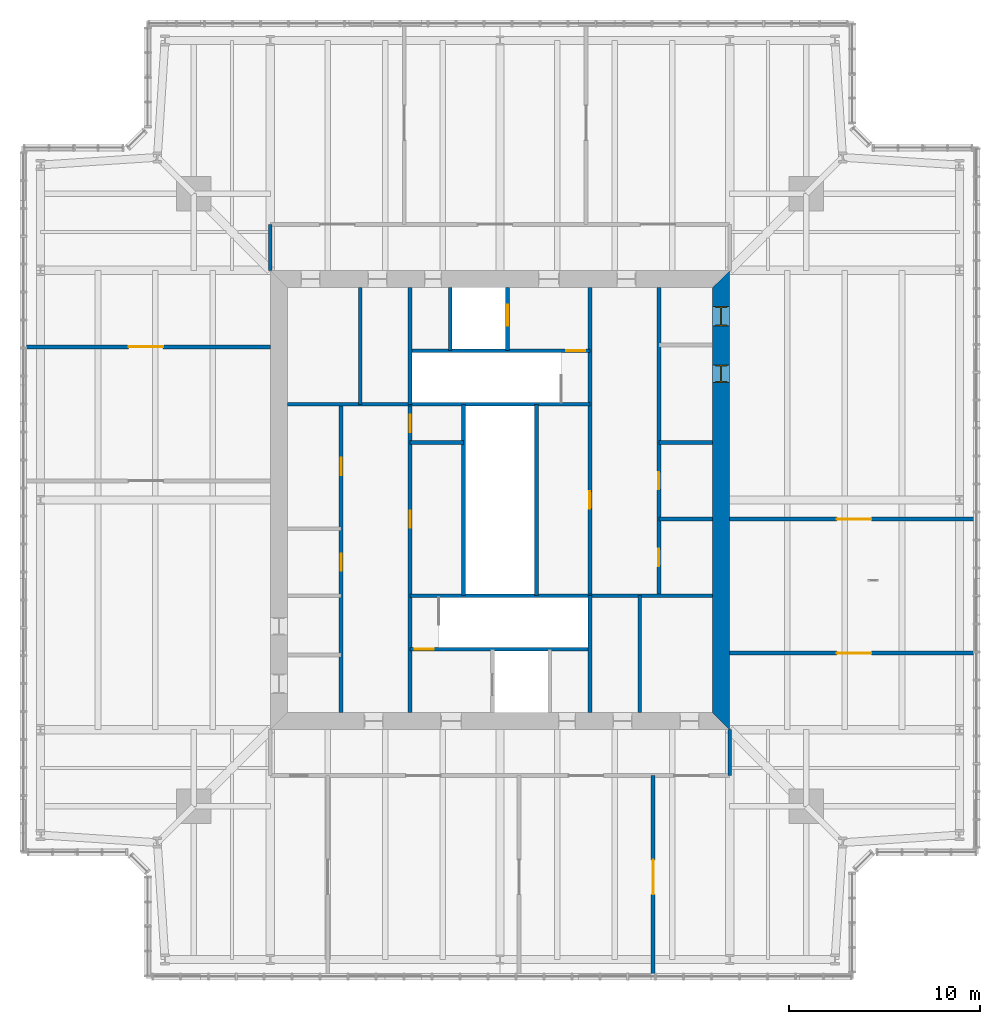
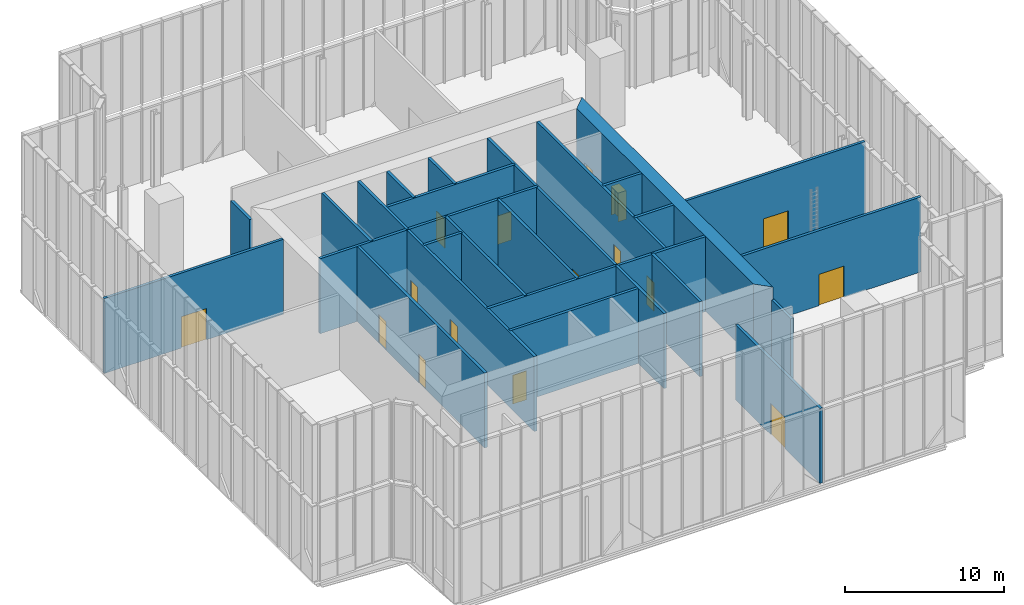
# One storey, part 18 of 25: 26 walls, 16 doors, 16 openings.
"""IFC4 building model written with IfcOpenShell, lengths in metres."""

from ifc_helpers import new_model, si_unit, direction, frame, frame_2d, origin, place, context, subcontext, project, spatial, polyline, rectangle, outline, extrude, material, layer, layer_set, type_object, element, fill, save


model = new_model("IFC4")

# Units and contexts
model_context = context("Model", 3, precision=1e-05, world=origin(), true_north=direction((0.0, 1.0)))
body_context = subcontext(model_context, "Body", "Model", "MODEL_VIEW")
ifc_project = project(units=[si_unit("LENGTHUNIT", "METRE"), si_unit("AREAUNIT", "SQUARE_METRE"), si_unit("VOLUMEUNIT", "CUBIC_METRE"), si_unit("PLANEANGLEUNIT", "RADIAN"), si_unit("MASSUNIT", "GRAM", prefix="KILO")], contexts=[model_context])

# Site, building, storey
site_placement = place(None, origin())
site = spatial("IfcSite", under=ifc_project, at=site_placement, CompositionType="ELEMENT")
building_placement = place(site_placement, origin())
building = spatial("IfcBuilding", under=site, at=building_placement, Name="Fenwick Lantern Interchange", CompositionType="ELEMENT")
storey_placement = place(building_placement, frame((0.0, 0.0, 307.800048828125)))
storey = spatial("IfcBuildingStorey", under=building, at=storey_placement, Name="L74", CompositionType="ELEMENT", Elevation=307.800048828125)

# Wall, openings, doors
ifc_material_1 = material(Name="Concrete masonry ASTM C90 Grade N", Category="masonry")
ifc_layer_1 = layer(ifc_material_1, 0.199951171875)
ifc_layer_set_1 = layer_set([ifc_layer_1], Name="Concrete masonry ASTM C90 Grade N")
wall_type_1 = type_object("IfcWallType", Name="CORE PARTITION 200", PredefinedType="PARTITIONING", material=ifc_layer_set_1)
wall_1_placement = place(storey_placement, frame((16.699951171875, 13.89990234375, 0.0), z_axis=(0.0, 0.0, 1.0), x_axis=(0.0, 1.0, 0.0)))
wall_1 = element("IfcWall", 1, at=wall_1_placement, inside=storey, type_object=wall_type_1, Name="L74/W/CORES/a", PredefinedType="PARTITIONING", context=body_context, shape_type="SweptSolid", body=[
    extrude(rectangle(XDim=16.10009765625, YDim=0.199951171875, at=frame_2d((8.050048828125, 0.0))), origin(), (0.0, 0.0, 1.0), 5.75),
])
opening_1_placement = place(wall_1_placement, frame((7.39990234375, 0.0, 0.0)))
opening_1 = element("IfcOpeningElement", 2, at=opening_1_placement, cuts=wall_1, Name="Opening L74-D009", PredefinedType="OPENING", context=body_context, shape_type="SweptSolid", body=[
    extrude(rectangle(XDim=0.89990234375, YDim=2.199951171875, at=frame_2d((0.449951171875, 1.10009765625))), frame((0.0, 0.10986328125, 0.0), z_axis=(0.0, -1.0, 0.0), x_axis=(1.0, 0.0, 0.0)), (0.0, 0.0, 1.0), 0.219970703125),
])
opening_2_placement = place(wall_1_placement, frame((12.39990234375, 0.0, 0.0)))
opening_2 = element("IfcOpeningElement", 3, at=opening_2_placement, cuts=wall_1, Name="Opening L74-D010", PredefinedType="OPENING", context=body_context, shape_type="SweptSolid", body=[
    extrude(rectangle(XDim=0.89990234375, YDim=2.199951171875, at=frame_2d((0.449951171875, 1.10009765625))), frame((0.0, 0.10986328125, 0.0), z_axis=(0.0, -1.0, 0.0), x_axis=(1.0, 0.0, 0.0)), (0.0, 0.0, 1.0), 0.219970703125),
])
ifc_material_2 = material(Name="Steel door and frame", Category="steel")
door_type_1 = type_object("IfcDoorType", Name="SERVICE DOOR 900 X 2200", OperationType="SINGLE_SWING_LEFT", PredefinedType="DOOR", material=ifc_material_2)
door_1_placement = place(opening_1_placement, origin())
door_1 = element("IfcDoor", 4, at=door_1_placement, inside=storey, type_object=door_type_1, Name="Service door", OperationType="SINGLE_SWING_LEFT", OverallHeight=2.199951171875, OverallWidth=0.89990234375, PredefinedType="DOOR", context=body_context, shape_type="SweptSolid", body=[
    extrude(rectangle(XDim=0.89990234375, YDim=2.199951171875, at=frame_2d((0.449951171875, 1.10009765625))), frame((0.0, 0.02490234375, 0.0), z_axis=(0.0, -1.0, 0.0), x_axis=(1.0, 0.0, 0.0)), (0.0, 0.0, 1.0), 0.050048828125),
])
fill(opening_1, door_1)
door_2_placement = place(opening_2_placement, origin())
door_2 = element("IfcDoor", 5, at=door_2_placement, inside=storey, type_object=door_type_1, Name="Service door", OperationType="SINGLE_SWING_LEFT", OverallHeight=2.199951171875, OverallWidth=0.89990234375, PredefinedType="DOOR", context=body_context, shape_type="SweptSolid", body=[
    extrude(rectangle(XDim=0.89990234375, YDim=2.199951171875, at=frame_2d((0.449951171875, 1.10009765625))), frame((0.0, 0.02490234375, 0.0), z_axis=(0.0, -1.0, 0.0), x_axis=(1.0, 0.0, 0.0)), (0.0, 0.0, 1.0), 0.050048828125),
])
fill(opening_2, door_2)

# Walls
wall_2_placement = place(storey_placement, frame((23.10009765625, 20.0, 0.0), z_axis=(0.0, 0.0, 1.0), x_axis=(0.0, 1.0, 0.0)))
element("IfcWall", 6, at=wall_2_placement, inside=storey, type_object=wall_type_1, Name="L74/W/CORES/e3", PredefinedType="PARTITIONING", context=body_context, shape_type="SweptSolid", body=[
    extrude(rectangle(XDim=10.0, YDim=0.199951171875, at=frame_2d((5.0, 0.0))), origin(), (0.0, 0.0, 1.0), 5.75),
])
wall_3_placement = place(storey_placement, frame((32.300048828125, 13.89990234375, 0.0), z_axis=(0.0, 0.0, 1.0), x_axis=(0.0, 1.0, 0.0)))
element("IfcWall", 7, at=wall_3_placement, inside=storey, type_object=wall_type_1, Name="L74/W/CORES/i2", PredefinedType="PARTITIONING", context=body_context, shape_type="SweptSolid", body=[
    extrude(rectangle(XDim=6.10009765625, YDim=0.199951171875, at=frame_2d((3.050048828125, 0.0))), origin(), (0.0, 0.0, 1.0), 5.75),
])
wall_4_placement = place(storey_placement, frame((20.300048828125, 28.0, 0.0), z_axis=(0.0, 0.0, 1.0), x_axis=(1.0, 0.0, 0.0)))
element("IfcWall", 8, at=wall_4_placement, inside=storey, type_object=wall_type_1, Name="L74/W/CORES/q1", PredefinedType="PARTITIONING", context=body_context, shape_type="SweptSolid", body=[
    extrude(rectangle(XDim=2.800048828125, YDim=0.199951171875, at=frame_2d((1.39990234375, 0.0))), origin(), (0.0, 0.0, 1.0), 5.75),
])

# Wall, openings, doors
wall_5_placement = place(storey_placement, frame((33.300048828125, 36.10009765625, 0.0), z_axis=(0.0, 0.0, 1.0), x_axis=(0.0, -1.0, 0.0)))
wall_5 = element("IfcWall", 9, at=wall_5_placement, inside=storey, type_object=wall_type_1, Name="L74/W/COREN/a", PredefinedType="PARTITIONING", context=body_context, shape_type="SweptSolid", body=[
    extrude(rectangle(XDim=16.10009765625, YDim=0.199951171875, at=frame_2d((8.050048828125, 0.0))), origin(), (0.0, 0.0, 1.0), 5.75),
])
opening_3_placement = place(wall_5_placement, frame((9.64990234375, 0.0, 0.0)))
opening_3 = element("IfcOpeningElement", 10, at=opening_3_placement, cuts=wall_5, Name="Opening L74-D021", PredefinedType="OPENING", context=body_context, shape_type="SweptSolid", body=[
    extrude(rectangle(XDim=0.89990234375, YDim=2.199951171875, at=frame_2d((0.449951171875, 1.10009765625))), frame((0.0, 0.10986328125, 0.0), z_axis=(0.0, -1.0, 0.0), x_axis=(1.0, 0.0, 0.0)), (0.0, 0.0, 1.0), 0.219970703125),
])
opening_4_placement = place(wall_5_placement, frame((13.64990234375, 0.0, 0.0)))
opening_4 = element("IfcOpeningElement", 11, at=opening_4_placement, cuts=wall_5, Name="Opening L74-D022", PredefinedType="OPENING", context=body_context, shape_type="SweptSolid", body=[
    extrude(rectangle(XDim=0.89990234375, YDim=2.199951171875, at=frame_2d((0.449951171875, 1.10009765625))), frame((0.0, 0.10986328125, 0.0), z_axis=(0.0, -1.0, 0.0), x_axis=(1.0, 0.0, 0.0)), (0.0, 0.0, 1.0), 0.219970703125),
])
door_3_placement = place(opening_3_placement, origin())
door_3 = element("IfcDoor", 12, at=door_3_placement, inside=storey, type_object=door_type_1, Name="Service door", OperationType="SINGLE_SWING_LEFT", OverallHeight=2.199951171875, OverallWidth=0.89990234375, PredefinedType="DOOR", context=body_context, shape_type="SweptSolid", body=[
    extrude(rectangle(XDim=0.89990234375, YDim=2.199951171875, at=frame_2d((0.449951171875, 1.10009765625))), frame((0.0, 0.02490234375, 0.0), z_axis=(0.0, -1.0, 0.0), x_axis=(1.0, 0.0, 0.0)), (0.0, 0.0, 1.0), 0.050048828125),
])
fill(opening_3, door_3)
door_4_placement = place(opening_4_placement, origin())
door_4 = element("IfcDoor", 13, at=door_4_placement, inside=storey, type_object=door_type_1, Name="Service door", OperationType="SINGLE_SWING_LEFT", OverallHeight=2.199951171875, OverallWidth=0.89990234375, PredefinedType="DOOR", context=body_context, shape_type="SweptSolid", body=[
    extrude(rectangle(XDim=0.89990234375, YDim=2.199951171875, at=frame_2d((0.449951171875, 1.10009765625))), frame((0.0, 0.02490234375, 0.0), z_axis=(0.0, -1.0, 0.0), x_axis=(1.0, 0.0, 0.0)), (0.0, 0.0, 1.0), 0.050048828125),
])
fill(opening_4, door_4)

# Wall
wall_6_placement = place(storey_placement, frame((26.89990234375, 30.0, 0.0), z_axis=(0.0, 0.0, 1.0), x_axis=(0.0, -1.0, 0.0)))
element("IfcWall", 14, at=wall_6_placement, inside=storey, type_object=wall_type_1, Name="L74/W/COREN/e3", PredefinedType="PARTITIONING", context=body_context, shape_type="SweptSolid", body=[
    extrude(rectangle(XDim=10.0, YDim=0.199951171875, at=frame_2d((5.0, 0.0))), origin(), (0.0, 0.0, 1.0), 5.75),
])

# Wall, opening, door
wall_7_placement = place(storey_placement, frame((25.39990234375, 36.10009765625, 0.0), z_axis=(0.0, 0.0, 1.0), x_axis=(0.0, -1.0, 0.0)))
wall_7 = element("IfcWall", 15, at=wall_7_placement, inside=storey, type_object=wall_type_1, Name="L74/W/COREN/h1", PredefinedType="PARTITIONING", context=body_context, shape_type="SweptSolid", body=[
    extrude(rectangle(XDim=3.300048828125, YDim=0.199951171875, at=frame_2d((1.64990234375, 0.0))), origin(), (0.0, 0.0, 1.0), 5.75),
])
opening_5_placement = place(wall_7_placement, frame((0.89990234375, 0.0, 0.0)))
opening_5 = element("IfcOpeningElement", 16, at=opening_5_placement, cuts=wall_7, Name="Opening LD-FL2", PredefinedType="OPENING", context=body_context, shape_type="SweptSolid", body=[
    extrude(rectangle(XDim=1.10009765625, YDim=2.199951171875, at=frame_2d((0.550048828125, 1.10009765625))), frame((0.0, 0.10986328125, 0.0), z_axis=(0.0, -1.0, 0.0), x_axis=(1.0, 0.0, 0.0)), (0.0, 0.0, 1.0), 0.219970703125),
])
door_type_2 = type_object("IfcDoorType", Name="LIFT LANDING DOOR 1100 X 2200", OperationType="DOUBLE_DOOR_SLIDING", PredefinedType="DOOR", material=ifc_material_2)
door_5_placement = place(opening_5_placement, origin())
door_5 = element("IfcDoor", 17, at=door_5_placement, inside=storey, type_object=door_type_2, Name="Lift landing door FL2", OperationType="DOUBLE_DOOR_SLIDING", OverallHeight=2.199951171875, OverallWidth=1.10009765625, PredefinedType="DOOR", context=body_context, shape_type="SweptSolid", body=[
    extrude(rectangle(XDim=1.10009765625, YDim=2.199951171875, at=frame_2d((0.550048828125, 1.10009765625))), frame((0.0, 0.02490234375, 0.0), z_axis=(0.0, -1.0, 0.0), x_axis=(1.0, 0.0, 0.0)), (0.0, 0.0, 1.0), 0.050048828125),
])
fill(opening_5, door_5)

# Walls
wall_8_placement = place(storey_placement, frame((22.39990234375, 36.10009765625, 0.0), z_axis=(0.0, 0.0, 1.0), x_axis=(0.0, -1.0, 0.0)))
element("IfcWall", 18, at=wall_8_placement, inside=storey, type_object=wall_type_1, Name="L74/W/COREN/h2", PredefinedType="PARTITIONING", context=body_context, shape_type="SweptSolid", body=[
    extrude(rectangle(XDim=3.300048828125, YDim=0.199951171875, at=frame_2d((1.64990234375, 0.0))), origin(), (0.0, 0.0, 1.0), 5.75),
])
wall_9_placement = place(storey_placement, frame((17.699951171875, 36.10009765625, 0.0), z_axis=(0.0, 0.0, 1.0), x_axis=(0.0, -1.0, 0.0)))
element("IfcWall", 19, at=wall_9_placement, inside=storey, type_object=wall_type_1, Name="L74/W/COREN/i2", PredefinedType="PARTITIONING", context=body_context, shape_type="SweptSolid", body=[
    extrude(rectangle(XDim=6.10009765625, YDim=0.199951171875, at=frame_2d((3.050048828125, 0.0))), origin(), (0.0, 0.0, 1.0), 5.75),
])
for number, where, z_axis, x_axis, name in (
    (20, (36.10009765625, 28.0, 0.0), (0.0, 0.0, 1.0), (-1.0, 0.0, 0.0), "L74/W/COREN/p2"),
    (21, (36.10009765625, 24.0, 0.0), (0.0, 0.0, 1.0), (-1.0, 0.0, 0.0), "L74/W/COREN/p3"),
):
    element("IfcWall", number, at=place(storey_placement, frame(where, z_axis=z_axis, x_axis=x_axis)), inside=storey, type_object=wall_type_1, Name=name, PredefinedType="PARTITIONING", context=body_context, shape_type="SweptSolid", body=[
        extrude(rectangle(XDim=2.800048828125, YDim=0.199951171875, at=frame_2d((1.39990234375, 0.0))), origin(), (0.0, 0.0, 1.0), 5.75),
    ])

# Wall, openings, doors
ifc_material_3 = material(Name="Concrete f'c 70 MPa", Category="concrete")
ifc_layer_2 = layer(ifc_material_3, 0.89990234375)
ifc_layer_set_2 = layer_set([ifc_layer_2], Name="CORE WALL 900")
wall_type_2 = type_object("IfcWallType", Name="CORE WALL 900", PredefinedType="SHEAR", material=ifc_layer_set_2)
wall_10_placement = place(storey_placement, frame((36.550048828125, 13.89990234375, 0.0), z_axis=(0.0, 0.0, 1.0), x_axis=(0.0, 1.0, 0.0)))
wall_10 = element("IfcWall", 22, at=wall_10_placement, inside=storey, type_object=wall_type_2, Name="L74/CORE/E", PredefinedType="SHEAR", context=body_context, shape_type="SweptSolid", body=[
    extrude(outline(polyline([(-0.89990234375, -0.449951171875), (23.10009765625, -0.449951171875), (22.199951171875, 0.449951171875), (0.0, 0.449951171875), (-0.89990234375, -0.449951171875)])), origin(), (0.0, 0.0, 1.0), 5.75),
])
opening_6_placement = place(wall_10_placement, frame((20.199951171875, 0.0, 0.0)))
opening_6 = element("IfcOpeningElement", 23, at=opening_6_placement, cuts=wall_10, Name="Opening L74-D019", PredefinedType="OPENING", context=body_context, shape_type="SweptSolid", body=[
    extrude(rectangle(XDim=1.0, YDim=2.199951171875, at=frame_2d((0.5, 1.10009765625))), frame((0.0, 0.4599609375, 0.0), z_axis=(0.0, -1.0, 0.0), x_axis=(1.0, 0.0, 0.0)), (0.0, 0.0, 1.0), 0.919921875),
])
opening_7_placement = place(wall_10_placement, frame((17.25, 0.0, 0.0)))
opening_7 = element("IfcOpeningElement", 24, at=opening_7_placement, cuts=wall_10, Name="Opening L74-D020", PredefinedType="OPENING", context=body_context, shape_type="SweptSolid", body=[
    extrude(rectangle(XDim=0.89990234375, YDim=2.199951171875, at=frame_2d((0.449951171875, 1.10009765625))), frame((0.0, 0.4599609375, 0.0), z_axis=(0.0, -1.0, 0.0), x_axis=(1.0, 0.0, 0.0)), (0.0, 0.0, 1.0), 0.919921875),
])
door_6_placement = place(opening_7_placement, origin())
door_6 = element("IfcDoor", 25, at=door_6_placement, inside=storey, type_object=door_type_1, Name="Service door", OperationType="SINGLE_SWING_RIGHT", OverallHeight=2.199951171875, OverallWidth=0.89990234375, PredefinedType="DOOR", context=body_context, shape_type="SweptSolid", body=[
    extrude(rectangle(XDim=0.89990234375, YDim=2.199951171875, at=frame_2d((0.449951171875, 1.10009765625))), frame((0.0, 0.02490234375, 0.0), z_axis=(0.0, -1.0, 0.0), x_axis=(1.0, 0.0, 0.0)), (0.0, 0.0, 1.0), 0.050048828125),
    extrude(outline(polyline([(0.0, 0.0), (0.0400390625, 0.0), (0.0400390625, 2.159912109375), (0.85986328125, 2.159912109375), (0.85986328125, 0.0), (0.89990234375, 0.0), (0.89990234375, 2.199951171875), (0.0, 2.199951171875), (0.0, 0.0)])), frame((0.0, 0.300048828125, 0.0), z_axis=(0.0, -1.0, 0.0), x_axis=(1.0, 0.0, 0.0)), (0.0, 0.0, 1.0), 0.60009765625),
])
fill(opening_7, door_6)
ifc_material_4 = material(Name="Hardwood door and steel frame", Category="steel")
door_type_3 = type_object("IfcDoorType", Name="WC DOOR 1000 X 2200", OperationType="SINGLE_SWING_LEFT", PredefinedType="DOOR", material=ifc_material_4)
door_7_placement = place(opening_6_placement, origin())
door_7 = element("IfcDoor", 26, at=door_7_placement, inside=storey, type_object=door_type_3, Name="Wc door", OperationType="SINGLE_SWING_LEFT", OverallHeight=2.199951171875, OverallWidth=1.0, PredefinedType="DOOR", context=body_context, shape_type="SweptSolid", body=[
    extrude(rectangle(XDim=1.0, YDim=2.199951171875, at=frame_2d((0.5, 1.10009765625))), frame((0.0, 0.02490234375, 0.0), z_axis=(0.0, -1.0, 0.0), x_axis=(1.0, 0.0, 0.0)), (0.0, 0.0, 1.0), 0.050048828125),
    extrude(outline(polyline([(0.0, 0.0), (0.0400390625, 0.0), (0.0400390625, 2.159912109375), (0.9599609375, 2.159912109375), (0.9599609375, 0.0), (1.0, 0.0), (1.0, 2.199951171875), (0.0, 2.199951171875), (0.0, 0.0)])), frame((0.0, 0.300048828125, 0.0), z_axis=(0.0, -1.0, 0.0), x_axis=(1.0, 0.0, 0.0)), (0.0, 0.0, 1.0), 0.60009765625),
])
fill(opening_6, door_7)

# Walls
ifc_layer_3 = layer(ifc_material_1, 0.199951171875)
ifc_layer_set_3 = layer_set([ifc_layer_3], Name="Concrete masonry ASTM C90 Grade N")
wall_type_3 = type_object("IfcWallType", Name="PLANT ROOM WALL 200", PredefinedType="PARTITIONING", material=ifc_layer_set_3)
for number, where, z_axis, x_axis, name in (
    (27, (37.0, 10.60009765625, 0.0), (0.0, 0.0, 1.0), (0.0, 1.0, 0.0), "L74/W/FLOOR/PCS-B"),
    (28, (13.0, 37.0, 0.0), (0.0, 0.0, 1.0), (0.0, 1.0, 0.0), "L74/W/FLOOR/PCN-A"),
):
    element("IfcWall", number, at=place(storey_placement, frame(where, z_axis=z_axis, x_axis=x_axis)), inside=storey, type_object=wall_type_3, Name=name, PredefinedType="PARTITIONING", context=body_context, shape_type="SweptSolid", body=[
        extrude(rectangle(XDim=2.39990234375, YDim=0.199951171875, at=frame_2d((1.199951171875, 0.0))), origin(), (0.0, 0.0, 1.0), 4.802490234375),
    ])

# Wall, opening, door
wall_11_placement = place(storey_placement, frame((33.0, 0.0, 0.0), z_axis=(0.0, 0.0, 1.0), x_axis=(0.0, 1.0, 0.0)))
wall_11 = element("IfcWall", 29, at=wall_11_placement, inside=storey, type_object=wall_type_3, Name="L74/W/FLOOR/PW3", PredefinedType="PARTITIONING", context=body_context, shape_type="SweptSolid", body=[
    extrude(rectangle(XDim=10.60009765625, YDim=0.199951171875, at=frame_2d((5.300048828125, 0.0))), origin(), (0.0, 0.0, 1.0), 5.75),
])
opening_8_placement = place(wall_11_placement, frame((4.39990234375, 0.0, 0.0)))
opening_8 = element("IfcOpeningElement", 30, at=opening_8_placement, cuts=wall_11, Name="Opening L74-D026", PredefinedType="OPENING", context=body_context, shape_type="SweptSolid", body=[
    extrude(rectangle(XDim=1.800048828125, YDim=2.39990234375, at=frame_2d((0.89990234375, 1.199951171875))), frame((0.0, 0.10986328125, 0.0), z_axis=(0.0, -1.0, 0.0), x_axis=(1.0, 0.0, 0.0)), (0.0, 0.0, 1.0), 0.219970703125),
])
door_type_4 = type_object("IfcDoorType", Name="ROOM DOOR PAIR 1800 X 2400", OperationType="DOUBLE_DOOR_SINGLE_SWING", PredefinedType="DOOR", material=ifc_material_2)
door_8_placement = place(opening_8_placement, origin())
door_8 = element("IfcDoor", 31, at=door_8_placement, inside=storey, type_object=door_type_4, Name="Room door pair", OperationType="DOUBLE_DOOR_SINGLE_SWING", OverallHeight=2.39990234375, OverallWidth=1.800048828125, PredefinedType="DOOR", context=body_context, shape_type="SweptSolid", body=[
    extrude(rectangle(XDim=1.800048828125, YDim=2.39990234375, at=frame_2d((0.89990234375, 1.199951171875))), frame((0.0, 0.02490234375, 0.0), z_axis=(0.0, -1.0, 0.0), x_axis=(1.0, 0.0, 0.0)), (0.0, 0.0, 1.0), 0.050048828125),
])
fill(opening_8, door_8)

wall_12_placement = place(storey_placement, frame((37.0, 17.0, 0.0), z_axis=(0.0, 0.0, 1.0), x_axis=(1.0, 0.0, 0.0)))
wall_12 = element("IfcWall", 32, at=wall_12_placement, inside=storey, type_object=wall_type_3, Name="L74/W/FLOOR/PW4", PredefinedType="PARTITIONING", context=body_context, shape_type="SweptSolid", body=[
    extrude(rectangle(XDim=13.0, YDim=0.199951171875, at=frame_2d((6.5, 0.0))), origin(), (0.0, 0.0, 1.0), 5.75),
])
opening_9_placement = place(wall_12_placement, frame((5.60009765625, 0.0, 0.0)))
opening_9 = element("IfcOpeningElement", 33, at=opening_9_placement, cuts=wall_12, Name="Opening L74-D027", PredefinedType="OPENING", context=body_context, shape_type="SweptSolid", body=[
    extrude(rectangle(XDim=1.800048828125, YDim=2.39990234375, at=frame_2d((0.89990234375, 1.199951171875))), frame((0.0, 0.10986328125, 0.0), z_axis=(0.0, -1.0, 0.0), x_axis=(1.0, 0.0, 0.0)), (0.0, 0.0, 1.0), 0.219970703125),
])
door_9_placement = place(opening_9_placement, origin())
door_9 = element("IfcDoor", 34, at=door_9_placement, inside=storey, type_object=door_type_4, Name="Room door pair", OperationType="DOUBLE_DOOR_SINGLE_SWING", OverallHeight=2.39990234375, OverallWidth=1.800048828125, PredefinedType="DOOR", context=body_context, shape_type="SweptSolid", body=[
    extrude(rectangle(XDim=1.800048828125, YDim=2.39990234375, at=frame_2d((0.89990234375, 1.199951171875))), frame((0.0, 0.02490234375, 0.0), z_axis=(0.0, -1.0, 0.0), x_axis=(1.0, 0.0, 0.0)), (0.0, 0.0, 1.0), 0.050048828125),
])
fill(opening_9, door_9)

wall_13_placement = place(storey_placement, frame((37.0, 24.0, 0.0), z_axis=(0.0, 0.0, 1.0), x_axis=(1.0, 0.0, 0.0)))
wall_13 = element("IfcWall", 35, at=wall_13_placement, inside=storey, type_object=wall_type_3, Name="L74/W/FLOOR/PW5", PredefinedType="PARTITIONING", context=body_context, shape_type="SweptSolid", body=[
    extrude(rectangle(XDim=13.0, YDim=0.199951171875, at=frame_2d((6.5, 0.0))), origin(), (0.0, 0.0, 1.0), 5.75),
])
opening_10_placement = place(wall_13_placement, frame((5.60009765625, 0.0, 0.0)))
opening_10 = element("IfcOpeningElement", 36, at=opening_10_placement, cuts=wall_13, Name="Opening L74-D028", PredefinedType="OPENING", context=body_context, shape_type="SweptSolid", body=[
    extrude(rectangle(XDim=1.800048828125, YDim=2.39990234375, at=frame_2d((0.89990234375, 1.199951171875))), frame((0.0, 0.10986328125, 0.0), z_axis=(0.0, -1.0, 0.0), x_axis=(1.0, 0.0, 0.0)), (0.0, 0.0, 1.0), 0.219970703125),
])
door_10_placement = place(opening_10_placement, frame((1.800048828125, 0.0, 0.0), z_axis=(0.0, 0.0, 1.0), x_axis=(-1.0, 0.0, 0.0)))
door_10 = element("IfcDoor", 37, at=door_10_placement, inside=storey, type_object=door_type_4, Name="Room door pair", OperationType="DOUBLE_DOOR_SINGLE_SWING", OverallHeight=2.39990234375, OverallWidth=1.800048828125, PredefinedType="DOOR", context=body_context, shape_type="SweptSolid", body=[
    extrude(rectangle(XDim=1.800048828125, YDim=2.39990234375, at=frame_2d((0.89990234375, 1.199951171875))), frame((0.0, 0.02490234375, 0.0), z_axis=(0.0, -1.0, 0.0), x_axis=(1.0, 0.0, 0.0)), (0.0, 0.0, 1.0), 0.050048828125),
])
fill(opening_10, door_10)

wall_14_placement = place(storey_placement, frame((0.0, 33.0, 0.0), z_axis=(0.0, 0.0, 1.0), x_axis=(1.0, 0.0, 0.0)))
wall_14 = element("IfcWall", 38, at=wall_14_placement, inside=storey, type_object=wall_type_3, Name="L74/W/FLOOR/PW9", PredefinedType="PARTITIONING", context=body_context, shape_type="SweptSolid", body=[
    extrude(rectangle(XDim=13.0, YDim=0.199951171875, at=frame_2d((6.5, 0.0))), origin(), (0.0, 0.0, 1.0), 5.75),
])
opening_11_placement = place(wall_14_placement, frame((5.60009765625, 0.0, 0.0)))
opening_11 = element("IfcOpeningElement", 39, at=opening_11_placement, cuts=wall_14, Name="Opening L74-D032", PredefinedType="OPENING", context=body_context, shape_type="SweptSolid", body=[
    extrude(rectangle(XDim=1.800048828125, YDim=2.39990234375, at=frame_2d((0.89990234375, 1.199951171875))), frame((0.0, 0.10986328125, 0.0), z_axis=(0.0, -1.0, 0.0), x_axis=(1.0, 0.0, 0.0)), (0.0, 0.0, 1.0), 0.219970703125),
])
door_11_placement = place(opening_11_placement, frame((1.800048828125, 0.0, 0.0), z_axis=(0.0, 0.0, 1.0), x_axis=(-1.0, 0.0, 0.0)))
door_11 = element("IfcDoor", 40, at=door_11_placement, inside=storey, type_object=door_type_4, Name="Room door pair", OperationType="DOUBLE_DOOR_SINGLE_SWING", OverallHeight=2.39990234375, OverallWidth=1.800048828125, PredefinedType="DOOR", context=body_context, shape_type="SweptSolid", body=[
    extrude(rectangle(XDim=1.800048828125, YDim=2.39990234375, at=frame_2d((0.89990234375, 1.199951171875))), frame((0.0, 0.02490234375, 0.0), z_axis=(0.0, -1.0, 0.0), x_axis=(1.0, 0.0, 0.0)), (0.0, 0.0, 1.0), 0.050048828125),
])
fill(opening_11, door_11)

# Wall, openings, doors
ifc_material_5 = material(Name="Concrete f'c 45 MPa", Category="concrete")
ifc_layer_4 = layer(ifc_material_5, 0.199951171875)
ifc_layer_set_4 = layer_set([ifc_layer_4], Name="STAIR CORE WALL 200")
wall_type_4 = type_object("IfcWallType", Name="STAIR CORE WALL 200", PredefinedType="SOLIDWALL", material=ifc_layer_set_4)
wall_15_placement = place(storey_placement, frame((20.300048828125, 13.89990234375, 0.0), z_axis=(0.0, 0.0, 1.0), x_axis=(0.0, 1.0, 0.0)))
wall_15 = element("IfcWall", 41, at=wall_15_placement, inside=storey, type_object=wall_type_4, Name="L74/W/CORES/b", PredefinedType="SOLIDWALL", context=body_context, shape_type="SweptSolid", body=[
    extrude(rectangle(XDim=16.10009765625, YDim=0.199951171875, at=frame_2d((8.050048828125, 0.0))), origin(), (0.0, 0.0, 1.0), 5.75),
])
opening_12_placement = place(wall_15_placement, frame((9.64990234375, 0.0, 0.0)))
opening_12 = element("IfcOpeningElement", 42, at=opening_12_placement, cuts=wall_15, Name="Opening L74-D011", PredefinedType="OPENING", context=body_context, shape_type="SweptSolid", body=[
    extrude(rectangle(XDim=0.89990234375, YDim=2.199951171875, at=frame_2d((0.449951171875, 1.10009765625))), frame((0.0, 0.10986328125, 0.0), z_axis=(0.0, -1.0, 0.0), x_axis=(1.0, 0.0, 0.0)), (0.0, 0.0, 1.0), 0.219970703125),
])
opening_13_placement = place(wall_15_placement, frame((14.64990234375, 0.0, 0.0)))
opening_13 = element("IfcOpeningElement", 43, at=opening_13_placement, cuts=wall_15, Name="Opening L74-D012", PredefinedType="OPENING", context=body_context, shape_type="SweptSolid", body=[
    extrude(rectangle(XDim=0.89990234375, YDim=2.199951171875, at=frame_2d((0.449951171875, 1.10009765625))), frame((0.0, 0.10986328125, 0.0), z_axis=(0.0, -1.0, 0.0), x_axis=(1.0, 0.0, 0.0)), (0.0, 0.0, 1.0), 0.219970703125),
])
door_12_placement = place(opening_12_placement, frame((0.89990234375, 0.0, 0.0), z_axis=(0.0, 0.0, 1.0), x_axis=(-1.0, 0.0, 0.0)))
door_12 = element("IfcDoor", 44, at=door_12_placement, inside=storey, type_object=door_type_1, Name="Service door", OperationType="SINGLE_SWING_RIGHT", OverallHeight=2.199951171875, OverallWidth=0.89990234375, PredefinedType="DOOR", context=body_context, shape_type="SweptSolid", body=[
    extrude(rectangle(XDim=0.89990234375, YDim=2.199951171875, at=frame_2d((0.449951171875, 1.10009765625))), frame((0.0, 0.02490234375, 0.0), z_axis=(0.0, -1.0, 0.0), x_axis=(1.0, 0.0, 0.0)), (0.0, 0.0, 1.0), 0.050048828125),
])
fill(opening_12, door_12)
door_13_placement = place(opening_13_placement, frame((0.89990234375, 0.0, 0.0), z_axis=(0.0, 0.0, 1.0), x_axis=(-1.0, 0.0, 0.0)))
door_13 = element("IfcDoor", 45, at=door_13_placement, inside=storey, type_object=door_type_1, Name="Service door", OperationType="SINGLE_SWING_RIGHT", OverallHeight=2.199951171875, OverallWidth=0.89990234375, PredefinedType="DOOR", context=body_context, shape_type="SweptSolid", body=[
    extrude(rectangle(XDim=0.89990234375, YDim=2.199951171875, at=frame_2d((0.449951171875, 1.10009765625))), frame((0.0, 0.02490234375, 0.0), z_axis=(0.0, -1.0, 0.0), x_axis=(1.0, 0.0, 0.0)), (0.0, 0.0, 1.0), 0.050048828125),
])
fill(opening_13, door_13)

# Wall, opening, door
wall_16_placement = place(storey_placement, frame((20.300048828125, 17.199951171875, 0.0), z_axis=(0.0, 0.0, 1.0), x_axis=(1.0, 0.0, 0.0)))
wall_16 = element("IfcWall", 46, at=wall_16_placement, inside=storey, type_object=wall_type_4, Name="L74/W/CORES/g1", PredefinedType="SOLIDWALL", context=body_context, shape_type="SweptSolid", body=[
    extrude(rectangle(XDim=9.39990234375, YDim=0.199951171875, at=frame_2d((4.699951171875, 0.0))), origin(), (0.0, 0.0, 1.0), 5.75),
])
opening_14_placement = place(wall_16_placement, frame((0.25, 0.0, 0.0)))
opening_14 = element("IfcOpeningElement", 47, at=opening_14_placement, cuts=wall_16, Name="Opening L74-D003", PredefinedType="OPENING", context=body_context, shape_type="SweptSolid", body=[
    extrude(rectangle(XDim=1.0, YDim=2.199951171875, at=frame_2d((0.5, 1.10009765625))), frame((0.0, 0.10986328125, 0.0), z_axis=(0.0, -1.0, 0.0), x_axis=(1.0, 0.0, 0.0)), (0.0, 0.0, 1.0), 0.219970703125),
])
door_type_5 = type_object("IfcDoorType", Name="STAIR DOOR 1000 X 2200", OperationType="SINGLE_SWING_LEFT", PredefinedType="DOOR", material=ifc_material_2)
door_14_placement = place(opening_14_placement, origin())
door_14 = element("IfcDoor", 48, at=door_14_placement, inside=storey, type_object=door_type_5, Name="Stair door", OperationType="SINGLE_SWING_LEFT", OverallHeight=2.199951171875, OverallWidth=1.0, PredefinedType="DOOR", context=body_context, shape_type="SweptSolid", body=[
    extrude(rectangle(XDim=1.0, YDim=2.199951171875, at=frame_2d((0.5, 1.10009765625))), frame((0.0, 0.02490234375, 0.0), z_axis=(0.0, -1.0, 0.0), x_axis=(1.0, 0.0, 0.0)), (0.0, 0.0, 1.0), 0.050048828125),
])
fill(opening_14, door_14)

# Walls
wall_17_placement = place(storey_placement, frame((20.300048828125, 20.0, 0.0), z_axis=(0.0, 0.0, 1.0), x_axis=(1.0, 0.0, 0.0)))
element("IfcWall", 49, at=wall_17_placement, inside=storey, type_object=wall_type_4, Name="L74/W/CORES/g2", PredefinedType="SOLIDWALL", context=body_context, shape_type="SweptSolid", body=[
    extrude(rectangle(XDim=15.800048828125, YDim=0.199951171875, at=frame_2d((7.89990234375, 0.0))), origin(), (0.0, 0.0, 1.0), 5.75),
])
wall_18_placement = place(storey_placement, frame((29.699951171875, 13.89990234375, 0.0), z_axis=(0.0, 0.0, 1.0), x_axis=(0.0, 1.0, 0.0)))
element("IfcWall", 50, at=wall_18_placement, inside=storey, type_object=wall_type_4, Name="L74/W/CORES/i1", PredefinedType="SOLIDWALL", context=body_context, shape_type="SweptSolid", body=[
    extrude(rectangle(XDim=6.10009765625, YDim=0.199951171875, at=frame_2d((3.050048828125, 0.0))), origin(), (0.0, 0.0, 1.0), 5.75),
])

# Wall, opening, door
wall_19_placement = place(storey_placement, frame((29.699951171875, 36.10009765625, 0.0), z_axis=(0.0, 0.0, 1.0), x_axis=(0.0, -1.0, 0.0)))
wall_19 = element("IfcWall", 51, at=wall_19_placement, inside=storey, type_object=wall_type_4, Name="L74/W/COREN/b", PredefinedType="SOLIDWALL", context=body_context, shape_type="SweptSolid", body=[
    extrude(rectangle(XDim=16.10009765625, YDim=0.199951171875, at=frame_2d((8.050048828125, 0.0))), origin(), (0.0, 0.0, 1.0), 5.75),
])
opening_15_placement = place(wall_19_placement, frame((10.64990234375, 0.0, 0.0)))
opening_15 = element("IfcOpeningElement", 52, at=opening_15_placement, cuts=wall_19, Name="Opening L74-D023", PredefinedType="OPENING", context=body_context, shape_type="SweptSolid", body=[
    extrude(rectangle(XDim=0.89990234375, YDim=2.199951171875, at=frame_2d((0.449951171875, 1.10009765625))), frame((0.0, 0.10986328125, 0.0), z_axis=(0.0, -1.0, 0.0), x_axis=(1.0, 0.0, 0.0)), (0.0, 0.0, 1.0), 0.219970703125),
])
door_15_placement = place(opening_15_placement, frame((0.89990234375, 0.0, 0.0), z_axis=(0.0, 0.0, 1.0), x_axis=(-1.0, 0.0, 0.0)))
door_15 = element("IfcDoor", 53, at=door_15_placement, inside=storey, type_object=door_type_1, Name="Service door", OperationType="SINGLE_SWING_RIGHT", OverallHeight=2.199951171875, OverallWidth=0.89990234375, PredefinedType="DOOR", context=body_context, shape_type="SweptSolid", body=[
    extrude(rectangle(XDim=0.89990234375, YDim=2.199951171875, at=frame_2d((0.449951171875, 1.10009765625))), frame((0.0, 0.02490234375, 0.0), z_axis=(0.0, -1.0, 0.0), x_axis=(1.0, 0.0, 0.0)), (0.0, 0.0, 1.0), 0.050048828125),
])
fill(opening_15, door_15)

wall_20_placement = place(storey_placement, frame((29.699951171875, 32.800048828125, 0.0), z_axis=(0.0, 0.0, 1.0), x_axis=(-1.0, 0.0, 0.0)))
wall_20 = element("IfcWall", 54, at=wall_20_placement, inside=storey, type_object=wall_type_4, Name="L74/W/COREN/g1", PredefinedType="SOLIDWALL", context=body_context, shape_type="SweptSolid", body=[
    extrude(rectangle(XDim=9.39990234375, YDim=0.199951171875, at=frame_2d((4.699951171875, 0.0))), origin(), (0.0, 0.0, 1.0), 5.75),
])
opening_16_placement = place(wall_20_placement, frame((0.25, 0.0, 0.0)))
opening_16 = element("IfcOpeningElement", 55, at=opening_16_placement, cuts=wall_20, Name="Opening L74-D015", PredefinedType="OPENING", context=body_context, shape_type="SweptSolid", body=[
    extrude(rectangle(XDim=1.0, YDim=2.199951171875, at=frame_2d((0.5, 1.10009765625))), frame((0.0, 0.10986328125, 0.0), z_axis=(0.0, -1.0, 0.0), x_axis=(1.0, 0.0, 0.0)), (0.0, 0.0, 1.0), 0.219970703125),
])
door_16_placement = place(opening_16_placement, origin())
door_16 = element("IfcDoor", 56, at=door_16_placement, inside=storey, type_object=door_type_5, Name="Stair door", OperationType="SINGLE_SWING_LEFT", OverallHeight=2.199951171875, OverallWidth=1.0, PredefinedType="DOOR", context=body_context, shape_type="SweptSolid", body=[
    extrude(rectangle(XDim=1.0, YDim=2.199951171875, at=frame_2d((0.5, 1.10009765625))), frame((0.0, 0.02490234375, 0.0), z_axis=(0.0, -1.0, 0.0), x_axis=(1.0, 0.0, 0.0)), (0.0, 0.0, 1.0), 0.050048828125),
])
fill(opening_16, door_16)

# Walls
wall_21_placement = place(storey_placement, frame((29.699951171875, 30.0, 0.0), z_axis=(0.0, 0.0, 1.0), x_axis=(-1.0, 0.0, 0.0)))
element("IfcWall", 57, at=wall_21_placement, inside=storey, type_object=wall_type_4, Name="L74/W/COREN/g2", PredefinedType="SOLIDWALL", context=body_context, shape_type="SweptSolid", body=[
    extrude(rectangle(XDim=15.800048828125, YDim=0.199951171875, at=frame_2d((7.89990234375, 0.0))), origin(), (0.0, 0.0, 1.0), 5.75),
])
wall_22_placement = place(storey_placement, frame((20.300048828125, 36.10009765625, 0.0), z_axis=(0.0, 0.0, 1.0), x_axis=(0.0, -1.0, 0.0)))
element("IfcWall", 58, at=wall_22_placement, inside=storey, type_object=wall_type_4, Name="L74/W/COREN/i1", PredefinedType="SOLIDWALL", context=body_context, shape_type="SweptSolid", body=[
    extrude(rectangle(XDim=6.10009765625, YDim=0.199951171875, at=frame_2d((3.050048828125, 0.0))), origin(), (0.0, 0.0, 1.0), 5.75),
])

save(model, "model.ifc")
